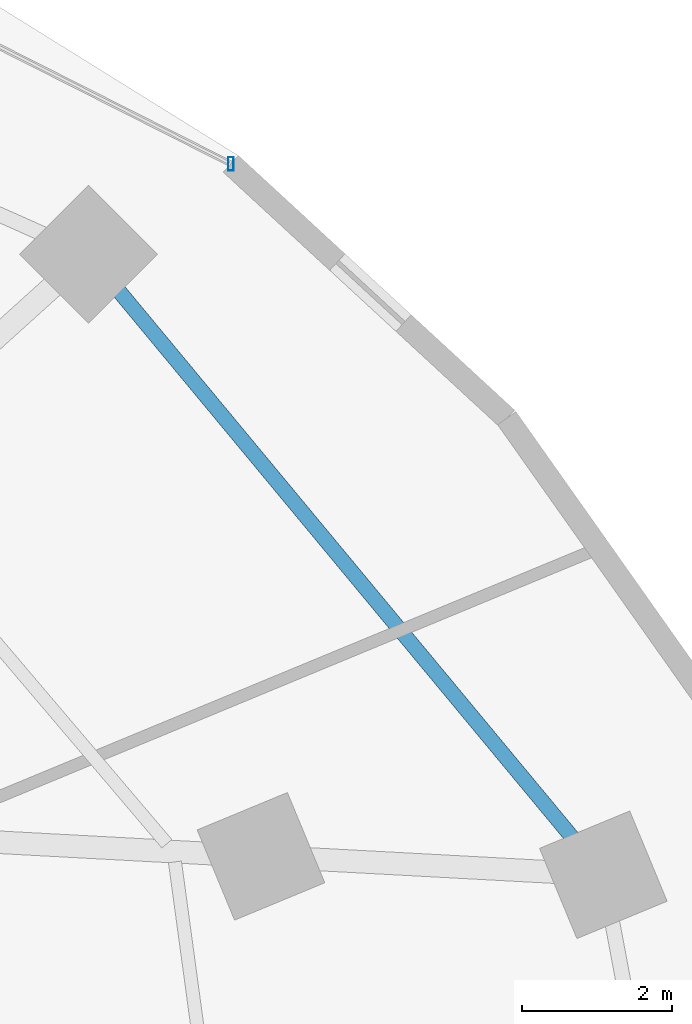
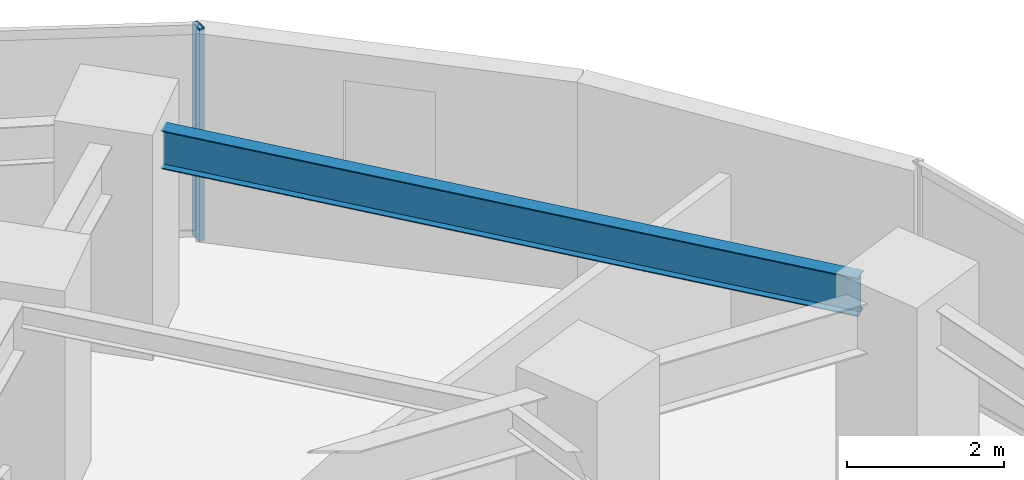
# One storey, part 24 of 34: 1 beam, 1 member, 1 element without a shape of its own.
"""IFC4 building model written with IfcOpenShell, lengths in metres."""

from ifc_helpers import new_model, si_unit, direction, frame, origin, origin_2d, place, context, subcontext, project, spatial, hollow_rectangle, i_section, extrude, material, material_profile, profile_set, type_object, element, aggregate, save


model = new_model("IFC4")

# Units and contexts
model_context = context("Model", 3, precision=1e-05, world=origin(), true_north=direction((0.0, 1.0)))
body_context = subcontext(model_context, "Body", "Model", "MODEL_VIEW")
ifc_project = project(units=[si_unit("LENGTHUNIT", "METRE"), si_unit("AREAUNIT", "SQUARE_METRE"), si_unit("VOLUMEUNIT", "CUBIC_METRE"), si_unit("PLANEANGLEUNIT", "RADIAN"), si_unit("MASSUNIT", "GRAM", prefix="KILO")], contexts=[model_context])

# Site, building, storey
site_placement = place(None, origin())
site = spatial("IfcSite", under=ifc_project, at=site_placement, CompositionType="ELEMENT")
building_placement = place(site_placement, origin())
building = spatial("IfcBuilding", under=site, at=building_placement, Name="Vorneva Point Tower", CompositionType="ELEMENT")
storey_placement = place(building_placement, frame((0.0, 0.0, 31.0)))
storey = spatial("IfcBuildingStorey", under=building, at=storey_placement, Name="L07", CompositionType="ELEMENT", Elevation=31.0)

# Beam
ifc_material_1 = material(Name="Steel S355", Category="steel")
ifc_material_profile_1 = material_profile(ifc_material_1, i_section(OverallWidth=0.198974609375, OverallDepth=0.595947265625, WebThickness=0.010009765625, FlangeThickness=0.014892578125, at=origin_2d()), Name="60B1")
ifc_profile_set_1 = profile_set([ifc_material_profile_1], Name="Steel S355")
beam_type = type_object("IfcBeamType", Name="BM-SPN-60B1", PredefinedType="SPANDREL", material=ifc_profile_set_1)
beam_placement = place(storey_placement, frame((63.448974609375, 32.825439453125, 2.94189453125), z_axis=(-0.638610485359, 0.769530147551, 0.0), x_axis=(-0.769530147551, -0.638610485359, 0.0)))
element("IfcBeam", 1, at=beam_placement, inside=storey, type_object=beam_type, Name="L07 Perimeter Spandrel Ring Beam 02", PredefinedType="SPANDREL", context=body_context, shape_type="SweptSolid", body=[
    extrude(i_section(OverallWidth=0.198974609375, OverallDepth=0.595947265625, WebThickness=0.010009765625, FlangeThickness=0.014892578125, at=origin_2d()), origin(), (0.0, 0.0, 1.0), 9.4677734375),
])

# Curtain wall, member
ifc_material_2 = material(Name="Pale anodised aluminium", Category="aluminium")
curtain_wall_type = type_object("IfcCurtainWallType", Name="CW-HTL-SYS", PredefinedType="NOTDEFINED", material=ifc_material_2)
curtain_wall_placement = place(storey_placement, origin())
curtain_wall = element("IfcCurtainWall", 2, at=curtain_wall_placement, inside=storey, type_object=curtain_wall_type, Name="L07 Unitised Curtain Wall CW-L07-R02", PredefinedType="NOTDEFINED")
ifc_material_profile_2 = material_profile(ifc_material_2, hollow_rectangle(XDim=0.074951171875, YDim=0.179931640625, WallThickness=0.00390625, at=origin_2d()), Name="AL-MUL 180x75x4")
ifc_profile_set_2 = profile_set([ifc_material_profile_2], Name="Pale anodised aluminium")
member_type = type_object("IfcMemberType", Name="CW-MUL-180", PredefinedType="MULLION", material=ifc_profile_set_2)
member_placement = place(storey_placement, frame((58.89501953125, 41.8037109375, -0.0400390625), z_axis=(0.0, 0.0, 1.0), x_axis=(1.0, 0.0, 0.0)))
member = element("IfcMember", 3, at=member_placement, type_object=member_type, Name="CW-L07-R02 Mullion 01", PredefinedType="MULLION", context=body_context, shape_type="SweptSolid", body=[
    extrude(hollow_rectangle(XDim=0.074951171875, YDim=0.179931640625, WallThickness=0.00390625, at=origin_2d()), origin(), (0.0, 0.0, 1.0), 3.31005859375),
])
aggregate(curtain_wall, [member])

save(model, "model.ifc")
